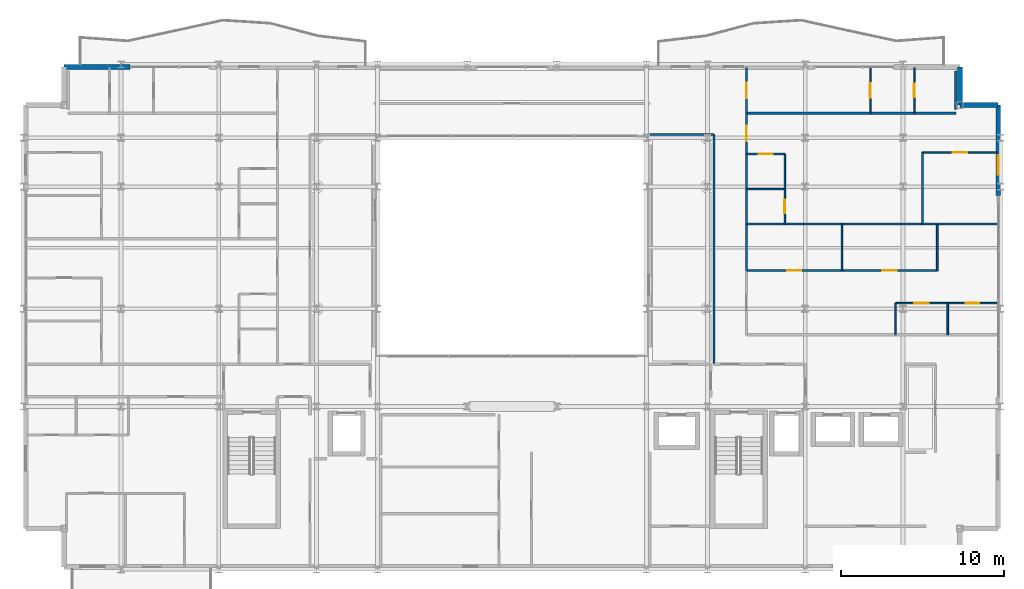
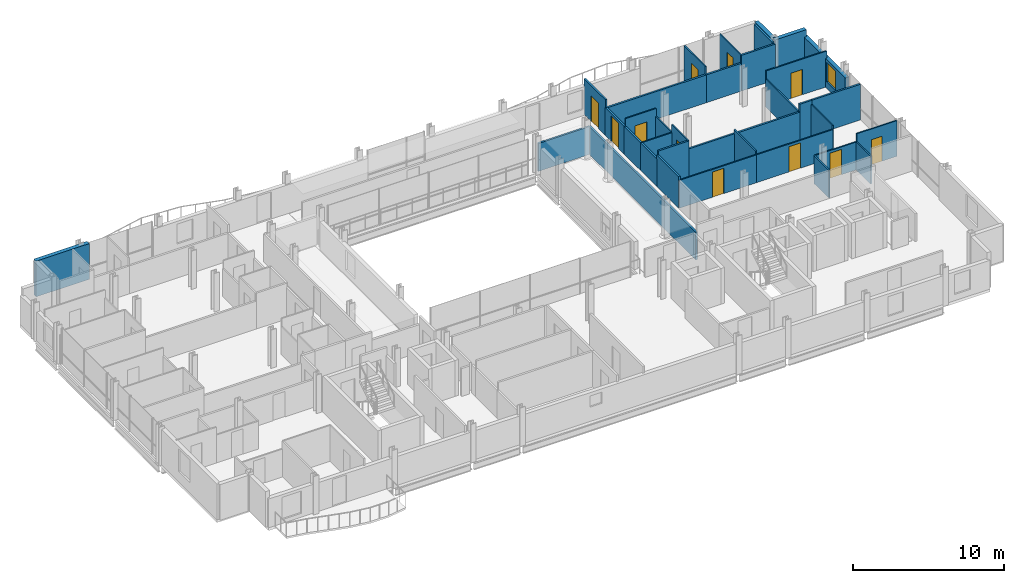
# One storey, part 37 of 41: 36 walls, 11 doors, 1 window, 12 openings.
"""IFC4 building model written with IfcOpenShell, lengths in metres."""

from ifc_helpers import new_model, si_unit, direction, frame, frame_2d, origin, place, context, subcontext, project, spatial, rectangle, extrude, material, layer, layer_set, type_object, element, fill, save


model = new_model("IFC4")

# Units and contexts
model_context = context("Model", 3, precision=1e-05, world=origin(), true_north=direction((0.0, 1.0)))
body_context = subcontext(model_context, "Body", "Model", "MODEL_VIEW")
ifc_project = project(units=[si_unit("LENGTHUNIT", "METRE"), si_unit("AREAUNIT", "SQUARE_METRE"), si_unit("VOLUMEUNIT", "CUBIC_METRE"), si_unit("PLANEANGLEUNIT", "RADIAN"), si_unit("MASSUNIT", "GRAM", prefix="KILO")], contexts=[model_context])

# Site, building, storey
site_placement = place(None, origin())
site = spatial("IfcSite", under=ifc_project, at=site_placement, CompositionType="ELEMENT")
building_placement = place(site_placement, origin())
building = spatial("IfcBuilding", under=site, at=building_placement, Name="Brevholm Reach", CompositionType="ELEMENT")
storey_placement = place(building_placement, frame((0.0, 0.0, 138.699951171875)))
storey = spatial("IfcBuildingStorey", under=building, at=storey_placement, Name="L41", CompositionType="ELEMENT", Elevation=138.699951171875)

# Walls
ifc_material_1 = material(Name="Concrete C40/50", Category="concrete")
ifc_layer_1 = layer(ifc_material_1, 0.300048828125)
ifc_layer_set_1 = layer_set([ifc_layer_1], Name="Concrete C40/50")
wall_type_1 = type_object("IfcWallType", Name="WAL-EXT-300", PredefinedType="STANDARD", material=ifc_layer_set_1)
for number, where, z_axis, x_axis, name in (
    (1, (59.85009765625, 28.5, 0.0), (0.0, 0.0, 1.0), (-1.0, 0.0, 0.0), "L41 Facade Wall WAL-L41-CNE1"),
    (2, (57.5, 28.5, 0.0), (0.0, 0.0, 1.0), (0.0, 1.0, 0.0), "L41 Facade Wall WAL-L41-CNE2"),
):
    element("IfcWall", number, at=place(storey_placement, frame(where, z_axis=z_axis, x_axis=x_axis)), inside=storey, type_object=wall_type_1, Name=name, PredefinedType="STANDARD", context=body_context, shape_type="SweptSolid", body=[
        extrude(rectangle(XDim=2.35009765625, YDim=0.300048828125, at=frame_2d((1.175048828125, 0.0))), origin(), (0.0, 0.0, 1.0), 2.880126953125),
    ])

# Wall, opening, window
wall_1_placement = place(storey_placement, frame((59.85009765625, 22.949951171875, 0.0), z_axis=(0.0, 0.0, 1.0), x_axis=(0.0, 1.0, 0.0)))
wall_1 = element("IfcWall", 3, at=wall_1_placement, inside=storey, type_object=wall_type_1, Name="L41 Facade Wall WAL-L41-E-N", PredefinedType="STANDARD", context=body_context, shape_type="SweptSolid", body=[
    extrude(rectangle(XDim=5.550048828125, YDim=0.300048828125, at=frame_2d((2.77490234375, 0.0))), origin(), (0.0, 0.0, 1.0), 2.322021484375),
])
opening_1_placement = place(wall_1_placement, frame((1.27001953125, 0.0, 0.501953125)))
opening_1 = element("IfcOpeningElement", 4, at=opening_1_placement, cuts=wall_1, Name="Opening WN-08", PredefinedType="OPENING", context=body_context, shape_type="SweptSolid", body=[
    extrude(rectangle(XDim=1.199951171875, YDim=1.60009765625, at=frame_2d((0.60009765625, 0.800048828125))), frame((0.0, 0.159912109375, 0.0), z_axis=(0.0, -1.0, 0.0), x_axis=(1.0, 0.0, 0.0)), (0.0, 0.0, 1.0), 0.320068359375),
])
ifc_material_2 = material(Name="Dark Anodised Aluminium and Solar-Control IGU Glass", Category="aluminium")
window_type = type_object("IfcWindowType", Name="WIN-RES-1200", PartitioningType="SINGLE_PANEL", PredefinedType="WINDOW", material=ifc_material_2)
window_placement = place(opening_1_placement, origin())
window = element("IfcWindow", 5, at=window_placement, inside=storey, type_object=window_type, Name="L41 Window WIN-L41-EN-1", OverallHeight=1.60009765625, OverallWidth=1.199951171875, PartitioningType="SINGLE_PANEL", PredefinedType="WINDOW", context=body_context, shape_type="SweptSolid", body=[
    extrude(rectangle(XDim=1.199951171875, YDim=1.60009765625, at=frame_2d((0.60009765625, 0.800048828125))), frame((0.0, 0.030029296875, 0.0), z_axis=(0.0, -1.0, 0.0), x_axis=(1.0, 0.0, 0.0)), (0.0, 0.0, 1.0), 0.06005859375),
])
fill(opening_1, window)

# Walls
wall_2_placement = place(storey_placement, frame((2.5, 30.85009765625, 0.0), z_axis=(0.0, 0.0, 1.0), x_axis=(1.0, 0.0, 0.0)))
element("IfcWall", 6, at=wall_2_placement, inside=storey, type_object=wall_type_1, Name="L41 Facade Wall WAL-L41-NP-W0", PredefinedType="STANDARD", context=body_context, shape_type="SweptSolid", body=[
    extrude(rectangle(XDim=4.050048828125, YDim=0.300048828125, at=frame_2d((2.02490234375, 0.0))), origin(), (0.0, 0.0, 1.0), 2.880126953125),
])
ifc_material_3 = material(Name="Moisture-Resistant Acoustic Gypsum Stud Partition 100 mm", Category="gypsum")
ifc_layer_2 = layer(ifc_material_3, 0.10009765625)
ifc_layer_set_2 = layer_set([ifc_layer_2], Name="Moisture-Resistant Acoustic Gypsum Stud Partition 100 mm")
wall_type_2 = type_object("IfcWallType", Name="WAL-PRT-100", PredefinedType="PARTITIONING", material=ifc_layer_set_2)
wall_3_placement = place(storey_placement, frame((56.75, 14.404052734375, 0.0), z_axis=(0.0, 0.0, 1.0), x_axis=(0.0, 1.0, 0.0)))
element("IfcWall", 7, at=wall_3_placement, inside=storey, type_object=wall_type_2, Name="L41 Internal Partition 091", PredefinedType="PARTITIONING", context=body_context, shape_type="SweptSolid", body=[
    extrude(rectangle(XDim=1.946044921875, YDim=0.10009765625, at=frame_2d((0.97314453125, 0.0))), origin(), (0.0, 0.0, 1.0), 2.242919921875),
])

# Wall, opening, door
wall_4_placement = place(storey_placement, frame((56.75, 16.35009765625, 0.0), z_axis=(0.0, 0.0, 1.0), x_axis=(1.0, 0.0, 0.0)))
wall_4 = element("IfcWall", 8, at=wall_4_placement, inside=storey, type_object=wall_type_2, Name="L41 Internal Partition 092", PredefinedType="PARTITIONING", context=body_context, shape_type="SweptSolid", body=[
    extrude(rectangle(XDim=3.050048828125, YDim=0.10009765625, at=frame_2d((1.52490234375, 0.0))), origin(), (0.0, 0.0, 1.0), 2.880126953125),
])
opening_2_placement = place(wall_4_placement, frame((1.114990234375, 0.0, 0.0)))
opening_2 = element("IfcOpeningElement", 9, at=opening_2_placement, cuts=wall_4, Name="Opening ID-03", PredefinedType="OPENING", context=body_context, shape_type="SweptSolid", body=[
    extrude(rectangle(XDim=0.820068359375, YDim=2.02001953125, at=frame_2d((0.41015625, 1.010009765625))), frame((0.0, 0.06005859375, 0.0), z_axis=(0.0, -1.0, 0.0), x_axis=(1.0, 0.0, 0.0)), (0.0, 0.0, 1.0), 0.1201171875),
])
ifc_material_4 = material(Name="Moisture-Resistant Painted Timber Internal Bathroom Door", Category="wood")
door_type_1 = type_object("IfcDoorType", Name="DOR-BATH-820", OperationType="NOTDEFINED", PredefinedType="DOOR", material=ifc_material_4)
door_1_placement = place(opening_2_placement, origin())
door_1 = element("IfcDoor", 10, at=door_1_placement, inside=storey, type_object=door_type_1, Name="L41 Internal Door 039", OperationType="SINGLE_SWING_RIGHT", OverallHeight=2.02001953125, OverallWidth=0.820068359375, PredefinedType="DOOR", context=body_context, shape_type="SweptSolid", body=[
    extrude(rectangle(XDim=0.820068359375, YDim=2.02001953125, at=frame_2d((0.41015625, 1.010009765625))), frame((0.0, 0.02490234375, 0.0), z_axis=(0.0, -1.0, 0.0), x_axis=(1.0, 0.0, 0.0)), (0.0, 0.0, 1.0), 0.050048828125),
])
fill(opening_2, door_1)

wall_5_placement = place(storey_placement, frame((53.550048828125, 16.35009765625, 0.0), z_axis=(0.0, 0.0, 1.0), x_axis=(1.0, 0.0, 0.0)))
wall_5 = element("IfcWall", 11, at=wall_5_placement, inside=storey, type_object=wall_type_2, Name="L41 Internal Partition 093", PredefinedType="PARTITIONING", context=body_context, shape_type="SweptSolid", body=[
    extrude(rectangle(XDim=3.196044921875, YDim=0.10009765625, at=frame_2d((1.59814453125, 0.0))), origin(), (0.0, 0.0, 1.0), 2.242919921875),
])
opening_3_placement = place(wall_5_placement, frame((1.157958984375, 0.0, 0.0)))
opening_3 = element("IfcOpeningElement", 12, at=opening_3_placement, cuts=wall_5, Name="Opening ID-01", PredefinedType="OPENING", context=body_context, shape_type="SweptSolid", body=[
    extrude(rectangle(XDim=0.8798828125, YDim=2.0400390625, at=frame_2d((0.43994140625, 1.02001953125))), frame((0.0, 0.06005859375, 0.0), z_axis=(0.0, -1.0, 0.0), x_axis=(1.0, 0.0, 0.0)), (0.0, 0.0, 1.0), 0.1201171875),
])
ifc_material_5 = material(Name="Lacquered Ash Solid-Core Acoustic Internal Door", Category="timber")
door_type_2 = type_object("IfcDoorType", Name="DOR-INT-880", OperationType="NOTDEFINED", PredefinedType="DOOR", material=ifc_material_5)
door_2_placement = place(opening_3_placement, origin())
door_2 = element("IfcDoor", 13, at=door_2_placement, inside=storey, type_object=door_type_2, Name="L41 Internal Door 040", OperationType="SINGLE_SWING_LEFT", OverallHeight=2.0400390625, OverallWidth=0.8798828125, PredefinedType="DOOR", context=body_context, shape_type="SweptSolid", body=[
    extrude(rectangle(XDim=0.8798828125, YDim=2.0400390625, at=frame_2d((0.43994140625, 1.02001953125))), frame((0.0, 0.02490234375, 0.0), z_axis=(0.0, -1.0, 0.0), x_axis=(1.0, 0.0, 0.0)), (0.0, 0.0, 1.0), 0.050048828125),
])
fill(opening_3, door_2)

# Walls
wall_6_placement = place(storey_placement, frame((53.550048828125, 14.404052734375, 0.0), z_axis=(0.0, 0.0, 1.0), x_axis=(0.0, 1.0, 0.0)))
element("IfcWall", 14, at=wall_6_placement, inside=storey, type_object=wall_type_2, Name="L41 Internal Partition 094", PredefinedType="PARTITIONING", context=body_context, shape_type="SweptSolid", body=[
    extrude(rectangle(XDim=1.946044921875, YDim=0.10009765625, at=frame_2d((0.97314453125, 0.0))), origin(), (0.0, 0.0, 1.0), 2.242919921875),
])
wall_7_placement = place(storey_placement, frame((50.251953125, 18.35009765625, 0.0), z_axis=(0.0, 0.0, 1.0), x_axis=(0.0, 1.0, 0.0)))
element("IfcWall", 15, at=wall_7_placement, inside=storey, type_object=wall_type_2, Name="L41 Internal Partition 095", PredefinedType="PARTITIONING", context=body_context, shape_type="SweptSolid", body=[
    extrude(rectangle(XDim=2.849853515625, YDim=0.10009765625, at=frame_2d((1.4248046875, 0.0))), origin(), (0.0, 0.0, 1.0), 2.5517578125),
])

# Wall, opening, door
wall_8_placement = place(storey_placement, frame((44.404052734375, 18.35009765625, 0.0), z_axis=(0.0, 0.0, 1.0), x_axis=(1.0, 0.0, 0.0)))
wall_8 = element("IfcWall", 16, at=wall_8_placement, inside=storey, type_object=wall_type_2, Name="L41 Internal Partition 096", PredefinedType="PARTITIONING", context=body_context, shape_type="SweptSolid", body=[
    extrude(rectangle(XDim=5.847900390625, YDim=0.10009765625, at=frame_2d((2.923828125, 0.0))), origin(), (0.0, 0.0, 1.0), 2.242919921875),
])
opening_4_placement = place(wall_8_placement, frame((2.48388671875, 0.0, 0.0)))
opening_4 = element("IfcOpeningElement", 17, at=opening_4_placement, cuts=wall_8, Name="Opening ID-01", PredefinedType="OPENING", context=body_context, shape_type="SweptSolid", body=[
    extrude(rectangle(XDim=0.8798828125, YDim=2.0400390625, at=frame_2d((0.43994140625, 1.02001953125))), frame((0.0, 0.06005859375, 0.0), z_axis=(0.0, -1.0, 0.0), x_axis=(1.0, 0.0, 0.0)), (0.0, 0.0, 1.0), 0.1201171875),
])
door_3_placement = place(opening_4_placement, origin())
door_3 = element("IfcDoor", 18, at=door_3_placement, inside=storey, type_object=door_type_2, Name="L41 Internal Door 041", OperationType="SINGLE_SWING_RIGHT", OverallHeight=2.0400390625, OverallWidth=0.8798828125, PredefinedType="DOOR", context=body_context, shape_type="SweptSolid", body=[
    extrude(rectangle(XDim=0.8798828125, YDim=2.0400390625, at=frame_2d((0.43994140625, 1.02001953125))), frame((0.0, 0.02490234375, 0.0), z_axis=(0.0, -1.0, 0.0), x_axis=(1.0, 0.0, 0.0)), (0.0, 0.0, 1.0), 0.050048828125),
])
fill(opening_4, door_3)

wall_9_placement = place(storey_placement, frame((50.256103515625, 18.35009765625, 0.0), z_axis=(0.0, 0.0, 1.0), x_axis=(1.0, 0.0, 0.0)))
wall_9 = element("IfcWall", 19, at=wall_9_placement, inside=storey, type_object=wall_type_2, Name="L41 Internal Partition 099", PredefinedType="PARTITIONING", context=body_context, shape_type="SweptSolid", body=[
    extrude(rectangle(XDim=5.847900390625, YDim=0.10009765625, at=frame_2d((2.923828125, 0.0))), origin(), (0.0, 0.0, 1.0), 2.242919921875),
])
opening_5_placement = place(wall_9_placement, frame((2.48388671875, 0.0, 0.0)))
opening_5 = element("IfcOpeningElement", 20, at=opening_5_placement, cuts=wall_9, Name="Opening ID-01", PredefinedType="OPENING", context=body_context, shape_type="SweptSolid", body=[
    extrude(rectangle(XDim=0.8798828125, YDim=2.0400390625, at=frame_2d((0.43994140625, 1.02001953125))), frame((0.0, 0.06005859375, 0.0), z_axis=(0.0, -1.0, 0.0), x_axis=(1.0, 0.0, 0.0)), (0.0, 0.0, 1.0), 0.1201171875),
])
door_4_placement = place(opening_5_placement, origin())
door_4 = element("IfcDoor", 21, at=door_4_placement, inside=storey, type_object=door_type_2, Name="L41 Internal Door 042", OperationType="SINGLE_SWING_LEFT", OverallHeight=2.0400390625, OverallWidth=0.8798828125, PredefinedType="DOOR", context=body_context, shape_type="SweptSolid", body=[
    extrude(rectangle(XDim=0.8798828125, YDim=2.0400390625, at=frame_2d((0.43994140625, 1.02001953125))), frame((0.0, 0.02490234375, 0.0), z_axis=(0.0, -1.0, 0.0), x_axis=(1.0, 0.0, 0.0)), (0.0, 0.0, 1.0), 0.050048828125),
])
fill(opening_5, door_4)

# Walls
wall_10_placement = place(storey_placement, frame((56.10400390625, 18.35009765625, 0.0), z_axis=(0.0, 0.0, 1.0), x_axis=(0.0, 1.0, 0.0)))
element("IfcWall", 22, at=wall_10_placement, inside=storey, type_object=wall_type_2, Name="L41 Internal Partition 100", PredefinedType="PARTITIONING", context=body_context, shape_type="SweptSolid", body=[
    extrude(rectangle(XDim=2.849853515625, YDim=0.10009765625, at=frame_2d((1.4248046875, 0.0))), origin(), (0.0, 0.0, 1.0), 2.5517578125),
])
wall_11_placement = place(storey_placement, frame((44.404052734375, 23.35009765625, 0.0), z_axis=(0.0, 0.0, 1.0), x_axis=(1.0, 0.0, 0.0)))
element("IfcWall", 23, at=wall_11_placement, inside=storey, type_object=wall_type_2, Name="L41 Internal Partition 104", PredefinedType="PARTITIONING", context=body_context, shape_type="SweptSolid", body=[
    extrude(rectangle(XDim=2.345947265625, YDim=0.10009765625, at=frame_2d((1.1728515625, 0.0))), origin(), (0.0, 0.0, 1.0), 2.242919921875),
])

# Wall, opening, door
wall_12_placement = place(storey_placement, frame((46.75, 21.2041015625, 0.0), z_axis=(0.0, 0.0, 1.0), x_axis=(0.0, 1.0, 0.0)))
wall_12 = element("IfcWall", 24, at=wall_12_placement, inside=storey, type_object=wall_type_2, Name="L41 Internal Partition 105", PredefinedType="PARTITIONING", context=body_context, shape_type="SweptSolid", body=[
    extrude(rectangle(XDim=2.14599609375, YDim=0.10009765625, at=frame_2d((1.072998046875, 0.0))), origin(), (0.0, 0.0, 1.0), 2.880126953125),
])
opening_6_placement = place(wall_12_placement, frame((0.6630859375, 0.0, 0.0)))
opening_6 = element("IfcOpeningElement", 25, at=opening_6_placement, cuts=wall_12, Name="Opening ID-03", PredefinedType="OPENING", context=body_context, shape_type="SweptSolid", body=[
    extrude(rectangle(XDim=0.820068359375, YDim=2.02001953125, at=frame_2d((0.41015625, 1.010009765625))), frame((0.0, 0.06005859375, 0.0), z_axis=(0.0, -1.0, 0.0), x_axis=(1.0, 0.0, 0.0)), (0.0, 0.0, 1.0), 0.1201171875),
])
door_5_placement = place(opening_6_placement, origin())
door_5 = element("IfcDoor", 26, at=door_5_placement, inside=storey, type_object=door_type_1, Name="L41 Internal Door 043", OperationType="SINGLE_SWING_RIGHT", OverallHeight=2.02001953125, OverallWidth=0.820068359375, PredefinedType="DOOR", context=body_context, shape_type="SweptSolid", body=[
    extrude(rectangle(XDim=0.820068359375, YDim=2.02001953125, at=frame_2d((0.41015625, 1.010009765625))), frame((0.0, 0.02490234375, 0.0), z_axis=(0.0, -1.0, 0.0), x_axis=(1.0, 0.0, 0.0)), (0.0, 0.0, 1.0), 0.050048828125),
])
fill(opening_6, door_5)

# Wall
wall_13_placement = place(storey_placement, frame((46.75, 23.35400390625, 0.0), z_axis=(0.0, 0.0, 1.0), x_axis=(0.0, 1.0, 0.0)))
element("IfcWall", 27, at=wall_13_placement, inside=storey, type_object=wall_type_2, Name="L41 Internal Partition 106", PredefinedType="PARTITIONING", context=body_context, shape_type="SweptSolid", body=[
    extrude(rectangle(XDim=2.14599609375, YDim=0.10009765625, at=frame_2d((1.072998046875, 0.0))), origin(), (0.0, 0.0, 1.0), 2.242919921875),
])

# Wall, opening, door
wall_14_placement = place(storey_placement, frame((44.404052734375, 25.5, 0.0), z_axis=(0.0, 0.0, 1.0), x_axis=(1.0, 0.0, 0.0)))
wall_14 = element("IfcWall", 28, at=wall_14_placement, inside=storey, type_object=wall_type_2, Name="L41 Internal Partition 107", PredefinedType="PARTITIONING", context=body_context, shape_type="SweptSolid", body=[
    extrude(rectangle(XDim=2.345947265625, YDim=0.10009765625, at=frame_2d((1.1728515625, 0.0))), origin(), (0.0, 0.0, 1.0), 2.880126953125),
])
opening_7_placement = place(wall_14_placement, frame((0.73291015625, 0.0, 0.0)))
opening_7 = element("IfcOpeningElement", 29, at=opening_7_placement, cuts=wall_14, Name="Opening ID-01", PredefinedType="OPENING", context=body_context, shape_type="SweptSolid", body=[
    extrude(rectangle(XDim=0.8798828125, YDim=2.0400390625, at=frame_2d((0.43994140625, 1.02001953125))), frame((0.0, 0.06005859375, 0.0), z_axis=(0.0, -1.0, 0.0), x_axis=(1.0, 0.0, 0.0)), (0.0, 0.0, 1.0), 0.1201171875),
])
door_6_placement = place(opening_7_placement, origin())
door_6 = element("IfcDoor", 30, at=door_6_placement, inside=storey, type_object=door_type_2, Name="L41 Internal Door 044", OperationType="SINGLE_SWING_LEFT", OverallHeight=2.0400390625, OverallWidth=0.8798828125, PredefinedType="DOOR", context=body_context, shape_type="SweptSolid", body=[
    extrude(rectangle(XDim=0.8798828125, YDim=2.0400390625, at=frame_2d((0.43994140625, 1.02001953125))), frame((0.0, 0.02490234375, 0.0), z_axis=(0.0, -1.0, 0.0), x_axis=(1.0, 0.0, 0.0)), (0.0, 0.0, 1.0), 0.050048828125),
])
fill(opening_7, door_6)

wall_15_placement = place(storey_placement, frame((55.199951171875, 25.60009765625, 0.0), z_axis=(0.0, 0.0, 1.0), x_axis=(1.0, 0.0, 0.0)))
wall_15 = element("IfcWall", 31, at=wall_15_placement, inside=storey, type_object=wall_type_2, Name="L41 Internal Partition 108", PredefinedType="PARTITIONING", context=body_context, shape_type="SweptSolid", body=[
    extrude(rectangle(XDim=4.60009765625, YDim=0.10009765625, at=frame_2d((2.300048828125, 0.0))), origin(), (0.0, 0.0, 1.0), 2.880126953125),
])
opening_8_placement = place(wall_15_placement, frame((1.860107421875, 0.0, 0.0)))
opening_8 = element("IfcOpeningElement", 32, at=opening_8_placement, cuts=wall_15, Name="Opening ID-01", PredefinedType="OPENING", context=body_context, shape_type="SweptSolid", body=[
    extrude(rectangle(XDim=0.8798828125, YDim=2.0400390625, at=frame_2d((0.43994140625, 1.02001953125))), frame((0.0, 0.06005859375, 0.0), z_axis=(0.0, -1.0, 0.0), x_axis=(1.0, 0.0, 0.0)), (0.0, 0.0, 1.0), 0.1201171875),
])
door_7_placement = place(opening_8_placement, origin())
door_7 = element("IfcDoor", 33, at=door_7_placement, inside=storey, type_object=door_type_2, Name="L41 Internal Door 045", OperationType="SINGLE_SWING_RIGHT", OverallHeight=2.0400390625, OverallWidth=0.8798828125, PredefinedType="DOOR", context=body_context, shape_type="SweptSolid", body=[
    extrude(rectangle(XDim=0.8798828125, YDim=2.0400390625, at=frame_2d((0.43994140625, 1.02001953125))), frame((0.0, 0.02490234375, 0.0), z_axis=(0.0, -1.0, 0.0), x_axis=(1.0, 0.0, 0.0)), (0.0, 0.0, 1.0), 0.050048828125),
])
fill(opening_8, door_7)

# Wall
wall_16_placement = place(storey_placement, frame((55.199951171875, 21.2041015625, 0.0), z_axis=(0.0, 0.0, 1.0), x_axis=(0.0, 1.0, 0.0)))
element("IfcWall", 34, at=wall_16_placement, inside=storey, type_object=wall_type_2, Name="L41 Internal Partition 109", PredefinedType="PARTITIONING", context=body_context, shape_type="SweptSolid", body=[
    extrude(rectangle(XDim=4.39599609375, YDim=0.10009765625, at=frame_2d((2.197998046875, 0.0))), origin(), (0.0, 0.0, 1.0), 2.242919921875),
])

# Wall, opening, door
wall_17_placement = place(storey_placement, frame((54.699951171875, 28.00390625, 0.0), z_axis=(0.0, 0.0, 1.0), x_axis=(0.0, 1.0, 0.0)))
wall_17 = element("IfcWall", 35, at=wall_17_placement, inside=storey, type_object=wall_type_2, Name="L41 Internal Partition 115", PredefinedType="PARTITIONING", context=body_context, shape_type="SweptSolid", body=[
    extrude(rectangle(XDim=2.796142578125, YDim=0.10009765625, at=frame_2d((1.39794921875, 0.0))), origin(), (0.0, 0.0, 1.0), 2.880126953125),
])
opening_9_placement = place(wall_17_placement, frame((0.988037109375, 0.0, 0.0)))
opening_9 = element("IfcOpeningElement", 36, at=opening_9_placement, cuts=wall_17, Name="Opening ID-03", PredefinedType="OPENING", context=body_context, shape_type="SweptSolid", body=[
    extrude(rectangle(XDim=0.820068359375, YDim=2.02001953125, at=frame_2d((0.41015625, 1.010009765625))), frame((0.0, 0.06005859375, 0.0), z_axis=(0.0, -1.0, 0.0), x_axis=(1.0, 0.0, 0.0)), (0.0, 0.0, 1.0), 0.1201171875),
])
door_8_placement = place(opening_9_placement, origin())
door_8 = element("IfcDoor", 37, at=door_8_placement, inside=storey, type_object=door_type_1, Name="L41 Access Door 049", OperationType="SINGLE_SWING_RIGHT", OverallHeight=2.02001953125, OverallWidth=0.820068359375, PredefinedType="DOOR", context=body_context, shape_type="SweptSolid", body=[
    extrude(rectangle(XDim=0.820068359375, YDim=2.02001953125, at=frame_2d((0.41015625, 1.010009765625))), frame((0.0, 0.02490234375, 0.0), z_axis=(0.0, -1.0, 0.0), x_axis=(1.0, 0.0, 0.0)), (0.0, 0.0, 1.0), 0.050048828125),
])
fill(opening_9, door_8)

wall_18_placement = place(storey_placement, frame((52.0, 28.00390625, 0.0), z_axis=(0.0, 0.0, 1.0), x_axis=(0.0, 1.0, 0.0)))
wall_18 = element("IfcWall", 38, at=wall_18_placement, inside=storey, type_object=wall_type_2, Name="L41 Internal Partition 116", PredefinedType="PARTITIONING", context=body_context, shape_type="SweptSolid", body=[
    extrude(rectangle(XDim=2.796142578125, YDim=0.10009765625, at=frame_2d((1.39794921875, 0.0))), origin(), (0.0, 0.0, 1.0), 2.880126953125),
])
opening_10_placement = place(wall_18_placement, frame((0.9580078125, 0.0, 0.0)))
opening_10 = element("IfcOpeningElement", 39, at=opening_10_placement, cuts=wall_18, Name="Opening ID-01", PredefinedType="OPENING", context=body_context, shape_type="SweptSolid", body=[
    extrude(rectangle(XDim=0.8798828125, YDim=2.0400390625, at=frame_2d((0.43994140625, 1.02001953125))), frame((0.0, 0.06005859375, 0.0), z_axis=(0.0, -1.0, 0.0), x_axis=(1.0, 0.0, 0.0)), (0.0, 0.0, 1.0), 0.1201171875),
])
door_9_placement = place(opening_10_placement, origin())
door_9 = element("IfcDoor", 40, at=door_9_placement, inside=storey, type_object=door_type_2, Name="L41 Internal Door 047", OperationType="SINGLE_SWING_RIGHT", OverallHeight=2.0400390625, OverallWidth=0.8798828125, PredefinedType="DOOR", context=body_context, shape_type="SweptSolid", body=[
    extrude(rectangle(XDim=0.8798828125, YDim=2.0400390625, at=frame_2d((0.43994140625, 1.02001953125))), frame((0.0, 0.02490234375, 0.0), z_axis=(0.0, -1.0, 0.0), x_axis=(1.0, 0.0, 0.0)), (0.0, 0.0, 1.0), 0.050048828125),
])
fill(opening_10, door_9)

# Walls
ifc_material_6 = material(Name="Twin-Stud Acoustic Fire-Rated Gypsum Partition 140 mm", Category="gypsum")
ifc_layer_3 = layer(ifc_material_6, 0.139892578125)
ifc_layer_set_3 = layer_set([ifc_layer_3], Name="Twin-Stud Acoustic Fire-Rated Gypsum Partition 140 mm")
wall_type_3 = type_object("IfcWallType", Name="WAL-PRT-140", PredefinedType="PARTITIONING", material=ifc_layer_set_3)
wall_19_placement = place(storey_placement, frame((44.39990234375, 18.338623046875, 0.0), z_axis=(0.0, 0.0, 1.0), x_axis=(0.0, 1.0, 0.0)))
element("IfcWall", 41, at=wall_19_placement, inside=storey, type_object=wall_type_3, Name="L41 Internal Partition 042", PredefinedType="PARTITIONING", context=body_context, shape_type="SweptSolid", body=[
    extrude(rectangle(XDim=2.87255859375, YDim=0.139892578125, at=frame_2d((1.436279296875, 0.0))), origin(), (0.0, 0.0, 1.0), 2.5517578125),
])
wall_20_placement = place(storey_placement, frame((44.39990234375, 21.192626953125, 0.0), z_axis=(0.0, 0.0, 1.0), x_axis=(0.0, 1.0, 0.0)))
element("IfcWall", 42, at=wall_20_placement, inside=storey, type_object=wall_type_3, Name="L41 Internal Partition 044", PredefinedType="PARTITIONING", context=body_context, shape_type="SweptSolid", body=[
    extrude(rectangle(XDim=2.168701171875, YDim=0.139892578125, at=frame_2d((1.08447265625, 0.0))), origin(), (0.0, 0.0, 1.0), 2.242919921875),
])
wall_21_placement = place(storey_placement, frame((44.39990234375, 23.3427734375, 0.0), z_axis=(0.0, 0.0, 1.0), x_axis=(0.0, 1.0, 0.0)))
element("IfcWall", 43, at=wall_21_placement, inside=storey, type_object=wall_type_3, Name="L41 Internal Partition 045", PredefinedType="PARTITIONING", context=body_context, shape_type="SweptSolid", body=[
    extrude(rectangle(XDim=2.16845703125, YDim=0.139892578125, at=frame_2d((1.084228515625, 0.0))), origin(), (0.0, 0.0, 1.0), 2.242919921875),
])

# Wall, opening, door
wall_22_placement = place(storey_placement, frame((44.39990234375, 25.49267578125, 0.0), z_axis=(0.0, 0.0, 1.0), x_axis=(0.0, 1.0, 0.0)))
wall_22 = element("IfcWall", 44, at=wall_22_placement, inside=storey, type_object=wall_type_3, Name="L41 Internal Partition 046", PredefinedType="PARTITIONING", context=body_context, shape_type="SweptSolid", body=[
    extrude(rectangle(XDim=2.5185546875, YDim=0.139892578125, at=frame_2d((1.25927734375, 0.0))), origin(), (0.0, 0.0, 1.0), 2.242919921875),
])
opening_11_placement = place(wall_22_placement, frame((0.7841796875, 0.0, 0.0)))
opening_11 = element("IfcOpeningElement", 45, at=opening_11_placement, cuts=wall_22, Name="Opening ID-30", PredefinedType="OPENING", context=body_context, shape_type="SweptSolid", body=[
    extrude(rectangle(XDim=0.949951171875, YDim=2.050048828125, at=frame_2d((0.47509765625, 1.02490234375))), frame((0.0, 0.079833984375, 0.0), z_axis=(0.0, -1.0, 0.0), x_axis=(1.0, 0.0, 0.0)), (0.0, 0.0, 1.0), 0.159912109375),
])
ifc_material_7 = material(Name="European Oak Veneered Solid-Core Fire Entrance Door", Category="timber")
door_type_3 = type_object("IfcDoorType", Name="DOR-FLT-FD30S", OperationType="NOTDEFINED", PredefinedType="DOOR", material=ifc_material_7)
door_10_placement = place(opening_11_placement, origin())
door_10 = element("IfcDoor", 46, at=door_10_placement, inside=storey, type_object=door_type_3, Name="L41 Internal Door 023", OperationType="SINGLE_SWING_RIGHT", OverallHeight=2.050048828125, OverallWidth=0.949951171875, PredefinedType="DOOR", context=body_context, shape_type="SweptSolid", body=[
    extrude(rectangle(XDim=0.949951171875, YDim=2.050048828125, at=frame_2d((0.47509765625, 1.02490234375))), frame((0.0, 0.02490234375, 0.0), z_axis=(0.0, -1.0, 0.0), x_axis=(1.0, 0.0, 0.0)), (0.0, 0.0, 1.0), 0.050048828125),
])
fill(opening_11, door_10)

# Wall
wall_23_placement = place(storey_placement, frame((42.39990234375, 12.60400390625, 0.0), z_axis=(0.0, 0.0, 1.0), x_axis=(0.0, 1.0, 0.0)))
element("IfcWall", 47, at=wall_23_placement, inside=storey, type_object=wall_type_3, Name="L41 Internal Partition 047", PredefinedType="PARTITIONING", context=body_context, shape_type="SweptSolid", body=[
    extrude(rectangle(XDim=14.103271484375, YDim=0.139892578125, at=frame_2d((7.0517578125, 0.0))), origin(), (0.0, 0.0, 1.0), 2.242919921875),
])

# Wall, opening, door
wall_24_placement = place(storey_placement, frame((44.39990234375, 27.99267578125, 0.0), z_axis=(0.0, 0.0, 1.0), x_axis=(0.0, 1.0, 0.0)))
wall_24 = element("IfcWall", 48, at=wall_24_placement, inside=storey, type_object=wall_type_3, Name="L41 Internal Partition 048", PredefinedType="PARTITIONING", context=body_context, shape_type="SweptSolid", body=[
    extrude(rectangle(XDim=2.807373046875, YDim=0.139892578125, at=frame_2d((1.40380859375, 0.0))), origin(), (0.0, 0.0, 1.0), 2.880126953125),
])
opening_12_placement = place(wall_24_placement, frame((0.9287109375, 0.0, 0.0)))
opening_12 = element("IfcOpeningElement", 49, at=opening_12_placement, cuts=wall_24, Name="Opening ID-30", PredefinedType="OPENING", context=body_context, shape_type="SweptSolid", body=[
    extrude(rectangle(XDim=0.949951171875, YDim=2.050048828125, at=frame_2d((0.47509765625, 1.02490234375))), frame((0.0, 0.079833984375, 0.0), z_axis=(0.0, -1.0, 0.0), x_axis=(1.0, 0.0, 0.0)), (0.0, 0.0, 1.0), 0.159912109375),
])
door_11_placement = place(opening_12_placement, origin())
door_11 = element("IfcDoor", 50, at=door_11_placement, inside=storey, type_object=door_type_3, Name="L41 Internal Door 024", OperationType="SINGLE_SWING_LEFT", OverallHeight=2.050048828125, OverallWidth=0.949951171875, PredefinedType="DOOR", context=body_context, shape_type="SweptSolid", body=[
    extrude(rectangle(XDim=0.949951171875, YDim=2.050048828125, at=frame_2d((0.47509765625, 1.02490234375))), frame((0.0, 0.02490234375, 0.0), z_axis=(0.0, -1.0, 0.0), x_axis=(1.0, 0.0, 0.0)), (0.0, 0.0, 1.0), 0.050048828125),
])
fill(opening_12, door_11)

# Walls
wall_25_placement = place(storey_placement, frame((38.438720703125, 26.699951171875, 0.0), z_axis=(0.0, 0.0, 1.0), x_axis=(1.0, 0.0, 0.0)))
element("IfcWall", 51, at=wall_25_placement, inside=storey, type_object=wall_type_3, Name="L41 Internal Partition 053", PredefinedType="PARTITIONING", context=body_context, shape_type="SweptSolid", body=[
    extrude(rectangle(XDim=3.957275390625, YDim=0.139892578125, at=frame_2d((1.978515625, 0.0))), origin(), (0.0, 0.0, 1.0), 2.242919921875),
])
wall_26_placement = place(storey_placement, frame((44.404052734375, 21.199951171875, 0.0), z_axis=(0.0, 0.0, 1.0), x_axis=(1.0, 0.0, 0.0)))
element("IfcWall", 52, at=wall_26_placement, inside=storey, type_object=wall_type_3, Name="L41 Internal Partition 097", PredefinedType="PARTITIONING", context=body_context, shape_type="SweptSolid", body=[
    extrude(rectangle(XDim=2.357177734375, YDim=0.139892578125, at=frame_2d((1.1787109375, 0.0))), origin(), (0.0, 0.0, 1.0), 2.880126953125),
])
wall_27_placement = place(storey_placement, frame((46.74267578125, 21.199951171875, 0.0), z_axis=(0.0, 0.0, 1.0), x_axis=(1.0, 0.0, 0.0)))
element("IfcWall", 53, at=wall_27_placement, inside=storey, type_object=wall_type_3, Name="L41 Internal Partition 098", PredefinedType="PARTITIONING", context=body_context, shape_type="SweptSolid", body=[
    extrude(rectangle(XDim=3.50927734375, YDim=0.139892578125, at=frame_2d((1.754638671875, 0.0))), origin(), (0.0, 0.0, 1.0), 2.242919921875),
])
wall_28_placement = place(storey_placement, frame((55.188720703125, 21.199951171875, 0.0), z_axis=(0.0, 0.0, 1.0), x_axis=(1.0, 0.0, 0.0)))
element("IfcWall", 54, at=wall_28_placement, inside=storey, type_object=wall_type_3, Name="L41 Internal Partition 101", PredefinedType="PARTITIONING", context=body_context, shape_type="SweptSolid", body=[
    extrude(rectangle(XDim=0.915283203125, YDim=0.139892578125, at=frame_2d((0.45751953125, 0.0))), origin(), (0.0, 0.0, 1.0), 2.880126953125),
])
wall_29_placement = place(storey_placement, frame((50.256103515625, 21.199951171875, 0.0), z_axis=(0.0, 0.0, 1.0), x_axis=(1.0, 0.0, 0.0)))
element("IfcWall", 55, at=wall_29_placement, inside=storey, type_object=wall_type_3, Name="L41 Internal Partition 102", PredefinedType="PARTITIONING", context=body_context, shape_type="SweptSolid", body=[
    extrude(rectangle(XDim=4.951171875, YDim=0.139892578125, at=frame_2d((2.4755859375, 0.0))), origin(), (0.0, 0.0, 1.0), 2.242919921875),
])
wall_30_placement = place(storey_placement, frame((56.10791015625, 21.199951171875, 0.0), z_axis=(0.0, 0.0, 1.0), x_axis=(1.0, 0.0, 0.0)))
element("IfcWall", 56, at=wall_30_placement, inside=storey, type_object=wall_type_3, Name="L41 Internal Partition 103", PredefinedType="PARTITIONING", context=body_context, shape_type="SweptSolid", body=[
    extrude(rectangle(XDim=3.692138671875, YDim=0.139892578125, at=frame_2d((1.84619140625, 0.0))), origin(), (0.0, 0.0, 1.0), 2.880126953125),
])
wall_31_placement = place(storey_placement, frame((54.688720703125, 28.0, 0.0), z_axis=(0.0, 0.0, 1.0), x_axis=(1.0, 0.0, 0.0)))
element("IfcWall", 57, at=wall_31_placement, inside=storey, type_object=wall_type_3, Name="L41 Internal Partition 110", PredefinedType="PARTITIONING", context=body_context, shape_type="SweptSolid", body=[
    extrude(rectangle(XDim=2.572509765625, YDim=0.139892578125, at=frame_2d((1.2861328125, 0.0))), origin(), (0.0, 0.0, 1.0), 2.880126953125),
])
wall_32_placement = place(storey_placement, frame((51.98876953125, 28.0, 0.0), z_axis=(0.0, 0.0, 1.0), x_axis=(1.0, 0.0, 0.0)))
element("IfcWall", 58, at=wall_32_placement, inside=storey, type_object=wall_type_3, Name="L41 Internal Partition 111", PredefinedType="PARTITIONING", context=body_context, shape_type="SweptSolid", body=[
    extrude(rectangle(XDim=2.718505859375, YDim=0.139892578125, at=frame_2d((1.359375, 0.0))), origin(), (0.0, 0.0, 1.0), 2.242919921875),
])
wall_33_placement = place(storey_placement, frame((44.404052734375, 28.0, 0.0), z_axis=(0.0, 0.0, 1.0), x_axis=(1.0, 0.0, 0.0)))
element("IfcWall", 59, at=wall_33_placement, inside=storey, type_object=wall_type_3, Name="L41 Internal Partition 112", PredefinedType="PARTITIONING", context=body_context, shape_type="SweptSolid", body=[
    extrude(rectangle(XDim=7.603271484375, YDim=0.139892578125, at=frame_2d((3.8017578125, 0.0))), origin(), (0.0, 0.0, 1.0), 2.242919921875),
])
wall_34_placement = place(storey_placement, frame((57.25, 28.239990234375, 0.0), z_axis=(0.0, 0.0, 1.0), x_axis=(0.0, 1.0, 0.0)))
element("IfcWall", 60, at=wall_34_placement, inside=storey, type_object=wall_type_3, Name="L41 Internal Partition 122", PredefinedType="PARTITIONING", context=body_context, shape_type="SweptSolid", body=[
    extrude(rectangle(XDim=2.3701171875, YDim=0.139892578125, at=frame_2d((1.18505859375, 0.0))), origin(), (0.0, 0.0, 1.0), 2.880126953125),
])

save(model, "model.ifc")
